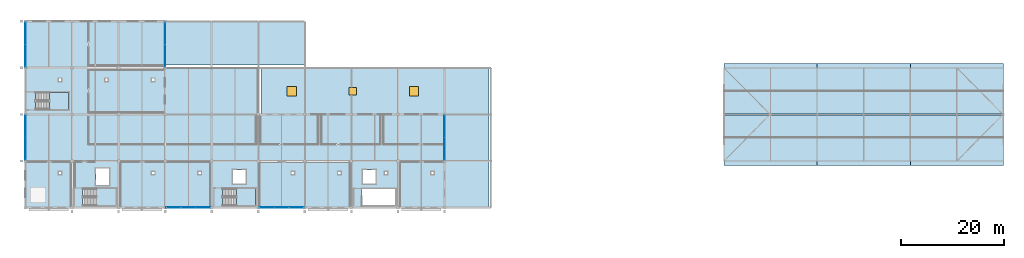
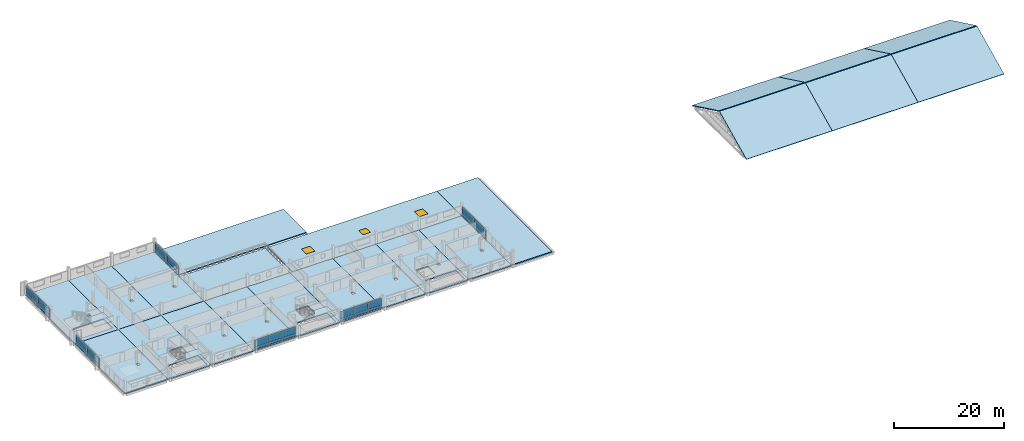
# One storey, part 15 of 25: 28 plates, 25 slabs, 3 windows, 3 openings, 9 elements without a shape of their own.
"""IFC4 building model written with IfcOpenShell, lengths in metres."""

import ifcopenshell
import ifcopenshell.guid

model = None  # the IFC model being written
_history = None  # IfcOwnerHistory: only IFC2X3 demands one
_inside = {}  # id of a spatial element -> (the spatial element, [elements in it])
_under = {}  # id of a project, library or spatial element -> (it, [spatial elements below it])
_declared = {}  # id of a project -> (the project, [libraries it declares])
_typed = {}  # id of a type object -> (the type object, [elements of that type])
_made_of = {}  # id of a material, layer set ... -> (it, [elements and type objects made of it])


def new_model(schema):
    """Start an empty IFC model of exactly this schema.

    Asked for "IFC4X3", IfcOpenShell would pick the latest addendum, in which some entities
    have other attributes; the version numbers below select the first issue.
    IFC2X3 requires an IfcOwnerHistory on every rooted entity: one is made here for all.
    """
    global model, _history
    if schema == "IFC4X3":
        model = ifcopenshell.file(schema_version=(4, 3, 0, 0))
    else:
        model = ifcopenshell.file(schema=schema)
    _inside.clear()
    _under.clear()
    _declared.clear()
    _typed.clear()
    _made_of.clear()
    _history = None
    if model.schema == "IFC2X3":
        org = make("IfcOrganization", Name="unknown")
        user = make(
            "IfcPersonAndOrganization",
            ThePerson=make("IfcPerson", FamilyName="unknown"),
            TheOrganization=org,
        )
        app = make(
            "IfcApplication",
            ApplicationDeveloper=org,
            Version="unknown",
            ApplicationFullName="unknown",
            ApplicationIdentifier="unknown",
        )
        _history = make(
            "IfcOwnerHistory",
            OwningUser=user,
            OwningApplication=app,
            ChangeAction="ADDED",
            CreationDate=0,
        )
    return model


def make(cls, **values):
    """One entity of the class cls with the attributes given. An attribute that is None is left unset."""
    return model.create_entity(
        cls, **{name: value for name, value in values.items() if value is not None}
    )


def rooted(cls, **values):
    """An entity with a GlobalId (a new one), such as an element, a storey or a relation."""
    return make(cls, GlobalId=ifcopenshell.guid.new(), OwnerHistory=_history, **values)


def si_unit(unit_type, name, prefix=None):
    """IfcSIUnit, for example si_unit("LENGTHUNIT", "METRE", prefix="MILLI")."""
    return make("IfcSIUnit", UnitType=unit_type, Prefix=prefix, Name=name)


def assignment(units):
    """IfcUnitAssignment: the units of a project."""
    return None if units is None else make("IfcUnitAssignment", Units=units)


def point(xyz):
    """IfcCartesianPoint."""
    return None if xyz is None else make("IfcCartesianPoint", Coordinates=xyz)


def direction(xyz):
    """IfcDirection."""
    return None if xyz is None else make("IfcDirection", DirectionRatios=xyz)


def frame(location, z_axis=None, x_axis=None):
    """IfcAxis2Placement3D, a coordinate frame: its origin and axes. An axis left out is left unset."""
    return make(
        "IfcAxis2Placement3D",
        Location=point(location),
        Axis=direction(z_axis),
        RefDirection=direction(x_axis),
    )


def frame_2d(location, x_axis=None):
    """IfcAxis2Placement2D, a coordinate frame in the plane: its origin and x axis."""
    return make(
        "IfcAxis2Placement2D", Location=point(location), RefDirection=direction(x_axis)
    )


def origin():
    """The frame at (0, 0, 0) with its axes left unset."""
    return frame((0.0, 0.0, 0.0))


def origin_2d():
    """The frame at (0, 0) in the plane with its x axis left unset."""
    return frame_2d((0.0, 0.0))


def place(relative_to, where):
    """IfcLocalPlacement: puts the frame where relative to a parent placement (None: the world)."""
    return make(
        "IfcLocalPlacement", PlacementRelTo=relative_to, RelativePlacement=where
    )


def context(
    kind, dimensions, precision=None, world=None, true_north=None, identifier=None
):
    """IfcGeometricRepresentationContext, for example the 3D "Model" context."""
    return make(
        "IfcGeometricRepresentationContext",
        ContextIdentifier=identifier,
        ContextType=kind,
        CoordinateSpaceDimension=dimensions,
        Precision=precision,
        WorldCoordinateSystem=world,
        TrueNorth=true_north,
    )


def subcontext(parent, identifier, kind, view, scale=None):
    """IfcGeometricRepresentationSubContext, for example "Body" below "Model"."""
    return make(
        "IfcGeometricRepresentationSubContext",
        ContextIdentifier=identifier,
        ContextType=kind,
        ParentContext=parent,
        TargetScale=scale,
        TargetView=view,
    )


def project(units=None, contexts=None):
    """IfcProject with its units and contexts."""
    return rooted(
        "IfcProject",
        Name="project",
        RepresentationContexts=contexts,
        UnitsInContext=assignment(units),
    )


def spatial(cls, under=None, at=None, **own):
    """A site, building, storey or space (cls), placed at a placement, below another one or the project."""
    s = rooted(cls, ObjectPlacement=at, **own)
    if under is not None:
        _under.setdefault(under.id(), (under, []))[1].append(s)
    return s


def polyline(points):
    """IfcPolyline through the points."""
    return make("IfcPolyline", Points=[point(p) for p in points])


def profile(cls, at=None, kind="AREA", **sizes):
    """A parametric profile (cls). Its sizes go by their IFC names, for example OverallWidth=200.0."""
    return make(cls, ProfileType=kind, Position=at, **sizes)


def rectangle(**sizes):
    """IfcRectangleProfileDef."""
    return profile("IfcRectangleProfileDef", **sizes)


def outline(outer, holes=None, kind="AREA"):
    """IfcArbitraryClosedProfileDef: a profile drawn as a closed curve; with holes, ...WithVoids."""
    if holes is None:
        return make("IfcArbitraryClosedProfileDef", ProfileType=kind, OuterCurve=outer)
    return make(
        "IfcArbitraryProfileDefWithVoids",
        ProfileType=kind,
        OuterCurve=outer,
        InnerCurves=holes,
    )


def extrude(swept, where, along, depth):
    """IfcExtrudedAreaSolid: the profile swept, set in the frame where, extruded along a direction by depth."""
    return make(
        "IfcExtrudedAreaSolid",
        SweptArea=swept,
        Position=where,
        ExtrudedDirection=direction(along),
        Depth=depth,
    )


def shape(context_of_items, identifier, shape_type, items):
    """IfcShapeRepresentation: the items that make up one representation, for example the "Body"."""
    return make(
        "IfcShapeRepresentation",
        ContextOfItems=context_of_items,
        RepresentationIdentifier=identifier,
        RepresentationType=shape_type,
        Items=items,
    )


def material(Name=None, Category=None):
    """IfcMaterial."""
    return make("IfcMaterial", Name=Name, Category=Category)


def layer(
    of_material, thickness, ventilated=None, Name=None, Category=None, Priority=None
):
    """IfcMaterialLayer: one layer of a wall or slab, of a material (None: an air gap)."""
    return make(
        "IfcMaterialLayer",
        Material=of_material,
        LayerThickness=thickness,
        IsVentilated=ventilated,
        Name=Name,
        Category=Category,
        Priority=Priority,
    )


def layer_set(layers, Name=None):
    """IfcMaterialLayerSet."""
    return make("IfcMaterialLayerSet", MaterialLayers=layers, LayerSetName=Name)


def made_of(thing, what):
    """Note that an element or type object is made of a material, layer set ...; save() writes the relation."""
    if what is not None:
        _made_of.setdefault(what.id(), (what, []))[1].append(thing)
    return thing


def type_object(cls, material=None, **own):
    """A type object (cls), such as IfcWallType, which elements share."""
    return made_of(rooted(cls, **own), material)


def element(
    cls,
    number,
    at=None,
    inside=None,
    cuts=None,
    type_object=None,
    material=None,
    context=None,
    identifier="Body",
    shape_type=None,
    held_by="IfcProductDefinitionShape",
    body=None,
    shapes=None,
    **own,
):
    """One element of the class cls, such as IfcWall. Its Tag is "e" and its number.

    at: its placement. inside: the storey or other place that contains it. cuts: it is an
    opening in that element (IfcRelVoidsElement). A single representation is given by context,
    identifier, shape_type and body (its items); several are given by shapes. held_by: the class
    of the entity that holds the representations. save() writes the other relations.
    """
    e = rooted(cls, Tag="e%d" % number, ObjectPlacement=at, **own)
    if body is not None:
        shapes = [shape(context, identifier, shape_type, body)]
    if shapes is not None:
        e.Representation = make(held_by, Representations=shapes)
    if inside is not None:
        _inside.setdefault(inside.id(), (inside, []))[1].append(e)
    if cuts is not None:
        rooted(
            "IfcRelVoidsElement", RelatingBuildingElement=cuts, RelatedOpeningElement=e
        )
    if type_object is not None:
        _typed.setdefault(type_object.id(), (type_object, []))[1].append(e)
    return made_of(e, material)


def fill(opening, filler):
    """IfcRelFillsElement: the door or window that sits in an opening."""
    return rooted(
        "IfcRelFillsElement",
        RelatingOpeningElement=opening,
        RelatedBuildingElement=filler,
    )


def aggregate(whole, parts):
    """IfcRelAggregates: a whole, such as a stair, and the parts it consists of."""
    return rooted("IfcRelAggregates", RelatingObject=whole, RelatedObjects=parts)


def save(model, path):
    """Write the relations noted so far, then the file.

    IfcRelAggregates (storeys below a building ...), IfcRelContainedInSpatialStructure (elements
    in a storey), IfcRelDefinesByType, IfcRelAssociatesMaterial and IfcRelDeclares: one each for
    every whole, place, type object, material and project.
    """
    for whole, parts in _under.values():
        aggregate(whole, parts)
    for where, things in _inside.values():
        rooted(
            "IfcRelContainedInSpatialStructure",
            RelatedElements=things,
            RelatingStructure=where,
        )
    for kind, things in _typed.values():
        rooted("IfcRelDefinesByType", RelatedObjects=things, RelatingType=kind)
    for what, things in _made_of.values():
        rooted("IfcRelAssociatesMaterial", RelatedObjects=things, RelatingMaterial=what)
    for by, libraries in _declared.values():
        rooted("IfcRelDeclares", RelatingContext=by, RelatedDefinitions=libraries)
    model.write(path)


model = new_model("IFC4")

# Units and contexts
model_context = context("Model", 3, precision=1e-05, world=origin(), true_north=direction((0.0, 1.0)))
body_context = subcontext(model_context, "Body", "Model", "MODEL_VIEW")
ifc_project = project(units=[si_unit("LENGTHUNIT", "METRE"), si_unit("AREAUNIT", "SQUARE_METRE"), si_unit("VOLUMEUNIT", "CUBIC_METRE"), si_unit("PLANEANGLEUNIT", "RADIAN"), si_unit("MASSUNIT", "GRAM", prefix="KILO")], contexts=[model_context])

# Site, building, storey
site_placement = place(None, origin())
site = spatial("IfcSite", under=ifc_project, at=site_placement, CompositionType="ELEMENT")
building_placement = place(site_placement, origin())
building = spatial("IfcBuilding", under=site, at=building_placement, Name="Tharagai Park Tramway Depot", CompositionType="ELEMENT")
storey_placement = place(building_placement, frame((0.0, 0.0, 12.0)))
storey = spatial("IfcBuildingStorey", under=building, at=storey_placement, Name="L03", CompositionType="ELEMENT", Elevation=12.0)

# Curtain wall, plates
ifc_material_1 = material(Name="Anodised aluminium", Category="aluminium")
curtain_wall_type_1 = type_object("IfcCurtainWallType", Name="CW-01", PredefinedType="NOTDEFINED", material=ifc_material_1)
curtain_wall_1_placement = place(storey_placement, origin())
curtain_wall_1 = element("IfcCurtainWall", 1, at=curtain_wall_1_placement, inside=storey, type_object=curtain_wall_type_1, Name="L03 V4 Gothic Mullioned Curtain Wall CW-01", PredefinedType="NOTDEFINED")
ifc_layer_1 = layer(ifc_material_1, 0.0400390625)
ifc_layer_set_1 = layer_set([ifc_layer_1], Name="Anodised aluminium")
plate_type_1 = type_object("IfcPlateType", Name="CP-01", PredefinedType="CURTAIN_PANEL", material=ifc_layer_set_1)
plate_1_placement = place(storey_placement, frame((28.659912109375, 0.0, 0.080078125), z_axis=(0.0, 0.0, 1.0), x_axis=(1.0, 0.0, 0.0)))
plate_1 = element("IfcPlate", 2, at=plate_1_placement, type_object=plate_type_1, Name="L03 V4 Gothic Mullioned Curtain Wall Spandrel Panel 1.1", PredefinedType="CURTAIN_PANEL", context=body_context, shape_type="SweptSolid", body=[
    extrude(rectangle(XDim=2.820068359375, YDim=0.0400390625, at=origin_2d()), origin(), (0.0, 0.0, 1.0), 0.550048828125),
])
plate_2_placement = place(storey_placement, frame((31.5, 0.0, 0.080078125), z_axis=(0.0, 0.0, 1.0), x_axis=(1.0, 0.0, 0.0)))
plate_2 = element("IfcPlate", 3, at=plate_2_placement, type_object=plate_type_1, Name="L03 V4 Gothic Mullioned Curtain Wall Spandrel Panel 2.1", PredefinedType="CURTAIN_PANEL", context=body_context, shape_type="SweptSolid", body=[
    extrude(rectangle(XDim=2.820068359375, YDim=0.0400390625, at=origin_2d()), origin(), (0.0, 0.0, 1.0), 0.550048828125),
])
plate_3_placement = place(storey_placement, frame((34.340087890625, 0.0, 0.080078125), z_axis=(0.0, 0.0, 1.0), x_axis=(1.0, 0.0, 0.0)))
plate_3 = element("IfcPlate", 4, at=plate_3_placement, type_object=plate_type_1, Name="L03 V4 Gothic Mullioned Curtain Wall Spandrel Panel 3.1", PredefinedType="CURTAIN_PANEL", context=body_context, shape_type="SweptSolid", body=[
    extrude(rectangle(XDim=2.820068359375, YDim=0.0400390625, at=origin_2d()), origin(), (0.0, 0.0, 1.0), 0.550048828125),
])

curtain_wall_2_placement = place(storey_placement, origin())
curtain_wall_2 = element("IfcCurtainWall", 5, at=curtain_wall_2_placement, inside=storey, type_object=curtain_wall_type_1, Name="L03 V4 Gothic Mullioned Curtain Wall CW-01", PredefinedType="NOTDEFINED")
plate_4_placement = place(storey_placement, frame((46.659912109375, 0.0, 0.080078125), z_axis=(0.0, 0.0, 1.0), x_axis=(1.0, 0.0, 0.0)))
plate_4 = element("IfcPlate", 6, at=plate_4_placement, type_object=plate_type_1, Name="L03 V4 Gothic Mullioned Curtain Wall Spandrel Panel 1.1", PredefinedType="CURTAIN_PANEL", context=body_context, shape_type="SweptSolid", body=[
    extrude(rectangle(XDim=2.820068359375, YDim=0.0400390625, at=origin_2d()), origin(), (0.0, 0.0, 1.0), 0.550048828125),
])
plate_5_placement = place(storey_placement, frame((49.5, 0.0, 0.080078125), z_axis=(0.0, 0.0, 1.0), x_axis=(1.0, 0.0, 0.0)))
plate_5 = element("IfcPlate", 7, at=plate_5_placement, type_object=plate_type_1, Name="L03 V4 Gothic Mullioned Curtain Wall Spandrel Panel 2.1", PredefinedType="CURTAIN_PANEL", context=body_context, shape_type="SweptSolid", body=[
    extrude(rectangle(XDim=2.820068359375, YDim=0.0400390625, at=origin_2d()), origin(), (0.0, 0.0, 1.0), 0.550048828125),
])
plate_6_placement = place(storey_placement, frame((52.340087890625, 0.0, 0.080078125), z_axis=(0.0, 0.0, 1.0), x_axis=(1.0, 0.0, 0.0)))
plate_6 = element("IfcPlate", 8, at=plate_6_placement, type_object=plate_type_1, Name="L03 V4 Gothic Mullioned Curtain Wall Spandrel Panel 3.1", PredefinedType="CURTAIN_PANEL", context=body_context, shape_type="SweptSolid", body=[
    extrude(rectangle(XDim=2.820068359375, YDim=0.0400390625, at=origin_2d()), origin(), (0.0, 0.0, 1.0), 0.550048828125),
])

curtain_wall_type_2 = type_object("IfcCurtainWallType", Name="CW-07", PredefinedType="NOTDEFINED", material=ifc_material_1)
curtain_wall_3_placement = place(storey_placement, origin())
curtain_wall_3 = element("IfcCurtainWall", 9, at=curtain_wall_3_placement, inside=storey, type_object=curtain_wall_type_2, Name="L03 V4 Side Mullioned Curtain Wall CW-07", PredefinedType="NOTDEFINED")
plate_7_placement = place(storey_placement, frame((0.0, 11.3701171875, 0.080078125), z_axis=(0.0, 0.0, 1.0), x_axis=(0.0, 1.0, 0.0)))
plate_7 = element("IfcPlate", 10, at=plate_7_placement, type_object=plate_type_1, Name="L03 V4 Side Mullioned Curtain Wall Spandrel Panel 1.1", PredefinedType="CURTAIN_PANEL", context=body_context, shape_type="SweptSolid", body=[
    extrude(rectangle(XDim=4.239990234375, YDim=0.0400390625, at=origin_2d()), origin(), (0.0, 0.0, 1.0), 0.550048828125),
])
plate_8_placement = place(storey_placement, frame((0.0, 15.6298828125, 0.080078125), z_axis=(0.0, 0.0, 1.0), x_axis=(0.0, 1.0, 0.0)))
plate_8 = element("IfcPlate", 11, at=plate_8_placement, type_object=plate_type_1, Name="L03 V4 Side Mullioned Curtain Wall Spandrel Panel 2.1", PredefinedType="CURTAIN_PANEL", context=body_context, shape_type="SweptSolid", body=[
    extrude(rectangle(XDim=4.239990234375, YDim=0.0400390625, at=origin_2d()), origin(), (0.0, 0.0, 1.0), 0.550048828125),
])

curtain_wall_4_placement = place(storey_placement, origin())
curtain_wall_4 = element("IfcCurtainWall", 12, at=curtain_wall_4_placement, inside=storey, type_object=curtain_wall_type_2, Name="L03 V4 Side Mullioned Curtain Wall CW-07", PredefinedType="NOTDEFINED")
plate_9_placement = place(storey_placement, frame((0.0, 29.3701171875, 0.080078125), z_axis=(0.0, 0.0, 1.0), x_axis=(0.0, 1.0, 0.0)))
plate_9 = element("IfcPlate", 13, at=plate_9_placement, type_object=plate_type_1, Name="L03 V4 Side Mullioned Curtain Wall Spandrel Panel 1.1", PredefinedType="CURTAIN_PANEL", context=body_context, shape_type="SweptSolid", body=[
    extrude(rectangle(XDim=4.239990234375, YDim=0.0400390625, at=origin_2d()), origin(), (0.0, 0.0, 1.0), 0.550048828125),
])
plate_10_placement = place(storey_placement, frame((0.0, 33.6298828125, 0.080078125), z_axis=(0.0, 0.0, 1.0), x_axis=(0.0, 1.0, 0.0)))
plate_10 = element("IfcPlate", 14, at=plate_10_placement, type_object=plate_type_1, Name="L03 V4 Side Mullioned Curtain Wall Spandrel Panel 2.1", PredefinedType="CURTAIN_PANEL", context=body_context, shape_type="SweptSolid", body=[
    extrude(rectangle(XDim=4.239990234375, YDim=0.0400390625, at=origin_2d()), origin(), (0.0, 0.0, 1.0), 0.550048828125),
])

curtain_wall_5_placement = place(storey_placement, origin())
curtain_wall_5 = element("IfcCurtainWall", 15, at=curtain_wall_5_placement, inside=storey, type_object=curtain_wall_type_2, Name="L03 V4 Side Mullioned Curtain Wall CW-07", PredefinedType="NOTDEFINED")
plate_11_placement = place(storey_placement, frame((27.0, 29.3701171875, 0.080078125), z_axis=(0.0, 0.0, 1.0), x_axis=(0.0, 1.0, 0.0)))
plate_11 = element("IfcPlate", 16, at=plate_11_placement, type_object=plate_type_1, Name="L03 V4 Side Mullioned Curtain Wall Spandrel Panel 1.1", PredefinedType="CURTAIN_PANEL", context=body_context, shape_type="SweptSolid", body=[
    extrude(rectangle(XDim=4.239990234375, YDim=0.0400390625, at=origin_2d()), origin(), (0.0, 0.0, 1.0), 0.550048828125),
])
plate_12_placement = place(storey_placement, frame((27.0, 33.6298828125, 0.080078125), z_axis=(0.0, 0.0, 1.0), x_axis=(0.0, 1.0, 0.0)))
plate_12 = element("IfcPlate", 17, at=plate_12_placement, type_object=plate_type_1, Name="L03 V4 Side Mullioned Curtain Wall Spandrel Panel 2.1", PredefinedType="CURTAIN_PANEL", context=body_context, shape_type="SweptSolid", body=[
    extrude(rectangle(XDim=4.239990234375, YDim=0.0400390625, at=origin_2d()), origin(), (0.0, 0.0, 1.0), 0.550048828125),
])

curtain_wall_6_placement = place(storey_placement, origin())
curtain_wall_6 = element("IfcCurtainWall", 18, at=curtain_wall_6_placement, inside=storey, type_object=curtain_wall_type_2, Name="L03 V4 Side Mullioned Curtain Wall CW-07", PredefinedType="NOTDEFINED")
plate_13_placement = place(storey_placement, frame((81.0, 11.3701171875, 0.080078125), z_axis=(0.0, 0.0, 1.0), x_axis=(0.0, 1.0, 0.0)))
plate_13 = element("IfcPlate", 19, at=plate_13_placement, type_object=plate_type_1, Name="L03 V4 Side Mullioned Curtain Wall Spandrel Panel 1.1", PredefinedType="CURTAIN_PANEL", context=body_context, shape_type="SweptSolid", body=[
    extrude(rectangle(XDim=4.239990234375, YDim=0.0400390625, at=origin_2d()), origin(), (0.0, 0.0, 1.0), 0.550048828125),
])
plate_14_placement = place(storey_placement, frame((81.0, 15.6298828125, 0.080078125), z_axis=(0.0, 0.0, 1.0), x_axis=(0.0, 1.0, 0.0)))
plate_14 = element("IfcPlate", 20, at=plate_14_placement, type_object=plate_type_1, Name="L03 V4 Side Mullioned Curtain Wall Spandrel Panel 2.1", PredefinedType="CURTAIN_PANEL", context=body_context, shape_type="SweptSolid", body=[
    extrude(rectangle(XDim=4.239990234375, YDim=0.0400390625, at=origin_2d()), origin(), (0.0, 0.0, 1.0), 0.550048828125),
])

# Plate
ifc_material_2 = material(Name="Laminated solar-control glass", Category="glass")
ifc_layer_2 = layer(ifc_material_2, 0.028076171875)
ifc_layer_set_2 = layer_set([ifc_layer_2], Name="Laminated solar-control glass")
plate_type_2 = type_object("IfcPlateType", Name="CP-02", PredefinedType="CURTAIN_PANEL", material=ifc_layer_set_2)
plate_15_placement = place(storey_placement, frame((28.659912109375, 0.0, 0.669921875), z_axis=(0.0, 0.0, 1.0), x_axis=(1.0, 0.0, 0.0)))
plate_15 = element("IfcPlate", 21, at=plate_15_placement, type_object=plate_type_2, Name="L03 V4 Gothic Mullioned Curtain Wall Glazed Panel 1.2", PredefinedType="CURTAIN_PANEL", context=body_context, shape_type="SweptSolid", body=[
    extrude(rectangle(XDim=2.820068359375, YDim=0.028076171875, at=origin_2d()), origin(), (0.0, 0.0, 1.0), 1.5),
])

plate_16_placement = place(storey_placement, frame((31.5, 0.0, 0.669921875), z_axis=(0.0, 0.0, 1.0), x_axis=(1.0, 0.0, 0.0)))
plate_16 = element("IfcPlate", 22, at=plate_16_placement, type_object=plate_type_2, Name="L03 V4 Gothic Mullioned Curtain Wall Glazed Panel 2.2", PredefinedType="CURTAIN_PANEL", context=body_context, shape_type="SweptSolid", body=[
    extrude(rectangle(XDim=2.820068359375, YDim=0.028076171875, at=origin_2d()), origin(), (0.0, 0.0, 1.0), 1.5),
])

plate_17_placement = place(storey_placement, frame((34.340087890625, 0.0, 0.669921875), z_axis=(0.0, 0.0, 1.0), x_axis=(1.0, 0.0, 0.0)))
plate_17 = element("IfcPlate", 23, at=plate_17_placement, type_object=plate_type_2, Name="L03 V4 Gothic Mullioned Curtain Wall Glazed Panel 3.2", PredefinedType="CURTAIN_PANEL", context=body_context, shape_type="SweptSolid", body=[
    extrude(rectangle(XDim=2.820068359375, YDim=0.028076171875, at=origin_2d()), origin(), (0.0, 0.0, 1.0), 1.5),
])

aggregate(curtain_wall_1, [plate_1, plate_15, plate_2, plate_16, plate_3, plate_17])

plate_18_placement = place(storey_placement, frame((46.659912109375, 0.0, 0.669921875), z_axis=(0.0, 0.0, 1.0), x_axis=(1.0, 0.0, 0.0)))
plate_18 = element("IfcPlate", 24, at=plate_18_placement, type_object=plate_type_2, Name="L03 V4 Gothic Mullioned Curtain Wall Glazed Panel 1.2", PredefinedType="CURTAIN_PANEL", context=body_context, shape_type="SweptSolid", body=[
    extrude(rectangle(XDim=2.820068359375, YDim=0.028076171875, at=origin_2d()), origin(), (0.0, 0.0, 1.0), 1.5),
])

plate_19_placement = place(storey_placement, frame((49.5, 0.0, 0.669921875), z_axis=(0.0, 0.0, 1.0), x_axis=(1.0, 0.0, 0.0)))
plate_19 = element("IfcPlate", 25, at=plate_19_placement, type_object=plate_type_2, Name="L03 V4 Gothic Mullioned Curtain Wall Glazed Panel 2.2", PredefinedType="CURTAIN_PANEL", context=body_context, shape_type="SweptSolid", body=[
    extrude(rectangle(XDim=2.820068359375, YDim=0.028076171875, at=origin_2d()), origin(), (0.0, 0.0, 1.0), 1.5),
])

plate_20_placement = place(storey_placement, frame((52.340087890625, 0.0, 0.669921875), z_axis=(0.0, 0.0, 1.0), x_axis=(1.0, 0.0, 0.0)))
plate_20 = element("IfcPlate", 26, at=plate_20_placement, type_object=plate_type_2, Name="L03 V4 Gothic Mullioned Curtain Wall Glazed Panel 3.2", PredefinedType="CURTAIN_PANEL", context=body_context, shape_type="SweptSolid", body=[
    extrude(rectangle(XDim=2.820068359375, YDim=0.028076171875, at=origin_2d()), origin(), (0.0, 0.0, 1.0), 1.5),
])

aggregate(curtain_wall_2, [plate_4, plate_18, plate_5, plate_19, plate_6, plate_20])

plate_21_placement = place(storey_placement, frame((0.0, 11.3701171875, 0.669921875), z_axis=(0.0, 0.0, 1.0), x_axis=(0.0, 1.0, 0.0)))
plate_21 = element("IfcPlate", 27, at=plate_21_placement, type_object=plate_type_2, Name="L03 V4 Side Mullioned Curtain Wall Glazed Panel 1.2", PredefinedType="CURTAIN_PANEL", context=body_context, shape_type="SweptSolid", body=[
    extrude(rectangle(XDim=4.239990234375, YDim=0.028076171875, at=origin_2d()), origin(), (0.0, 0.0, 1.0), 1.47998046875),
])

plate_22_placement = place(storey_placement, frame((0.0, 15.6298828125, 0.669921875), z_axis=(0.0, 0.0, 1.0), x_axis=(0.0, 1.0, 0.0)))
plate_22 = element("IfcPlate", 28, at=plate_22_placement, type_object=plate_type_2, Name="L03 V4 Side Mullioned Curtain Wall Glazed Panel 2.2", PredefinedType="CURTAIN_PANEL", context=body_context, shape_type="SweptSolid", body=[
    extrude(rectangle(XDim=4.239990234375, YDim=0.028076171875, at=origin_2d()), origin(), (0.0, 0.0, 1.0), 1.47998046875),
])

aggregate(curtain_wall_3, [plate_7, plate_21, plate_8, plate_22])

plate_23_placement = place(storey_placement, frame((0.0, 29.3701171875, 0.669921875), z_axis=(0.0, 0.0, 1.0), x_axis=(0.0, 1.0, 0.0)))
plate_23 = element("IfcPlate", 29, at=plate_23_placement, type_object=plate_type_2, Name="L03 V4 Side Mullioned Curtain Wall Glazed Panel 1.2", PredefinedType="CURTAIN_PANEL", context=body_context, shape_type="SweptSolid", body=[
    extrude(rectangle(XDim=4.239990234375, YDim=0.028076171875, at=origin_2d()), origin(), (0.0, 0.0, 1.0), 1.47998046875),
])

plate_24_placement = place(storey_placement, frame((0.0, 33.6298828125, 0.669921875), z_axis=(0.0, 0.0, 1.0), x_axis=(0.0, 1.0, 0.0)))
plate_24 = element("IfcPlate", 30, at=plate_24_placement, type_object=plate_type_2, Name="L03 V4 Side Mullioned Curtain Wall Glazed Panel 2.2", PredefinedType="CURTAIN_PANEL", context=body_context, shape_type="SweptSolid", body=[
    extrude(rectangle(XDim=4.239990234375, YDim=0.028076171875, at=origin_2d()), origin(), (0.0, 0.0, 1.0), 1.47998046875),
])

aggregate(curtain_wall_4, [plate_9, plate_23, plate_10, plate_24])

plate_25_placement = place(storey_placement, frame((27.0, 29.3701171875, 0.669921875), z_axis=(0.0, 0.0, 1.0), x_axis=(0.0, 1.0, 0.0)))
plate_25 = element("IfcPlate", 31, at=plate_25_placement, type_object=plate_type_2, Name="L03 V4 Side Mullioned Curtain Wall Glazed Panel 1.2", PredefinedType="CURTAIN_PANEL", context=body_context, shape_type="SweptSolid", body=[
    extrude(rectangle(XDim=4.239990234375, YDim=0.028076171875, at=origin_2d()), origin(), (0.0, 0.0, 1.0), 1.5400390625),
])

plate_26_placement = place(storey_placement, frame((27.0, 33.6298828125, 0.669921875), z_axis=(0.0, 0.0, 1.0), x_axis=(0.0, 1.0, 0.0)))
plate_26 = element("IfcPlate", 32, at=plate_26_placement, type_object=plate_type_2, Name="L03 V4 Side Mullioned Curtain Wall Glazed Panel 2.2", PredefinedType="CURTAIN_PANEL", context=body_context, shape_type="SweptSolid", body=[
    extrude(rectangle(XDim=4.239990234375, YDim=0.028076171875, at=origin_2d()), origin(), (0.0, 0.0, 1.0), 1.5400390625),
])

aggregate(curtain_wall_5, [plate_11, plate_25, plate_12, plate_26])

plate_27_placement = place(storey_placement, frame((81.0, 11.3701171875, 0.669921875), z_axis=(0.0, 0.0, 1.0), x_axis=(0.0, 1.0, 0.0)))
plate_27 = element("IfcPlate", 33, at=plate_27_placement, type_object=plate_type_2, Name="L03 V4 Side Mullioned Curtain Wall Glazed Panel 1.2", PredefinedType="CURTAIN_PANEL", context=body_context, shape_type="SweptSolid", body=[
    extrude(rectangle(XDim=4.239990234375, YDim=0.028076171875, at=origin_2d()), origin(), (0.0, 0.0, 1.0), 1.5400390625),
])

plate_28_placement = place(storey_placement, frame((81.0, 15.6298828125, 0.669921875), z_axis=(0.0, 0.0, 1.0), x_axis=(0.0, 1.0, 0.0)))
plate_28 = element("IfcPlate", 34, at=plate_28_placement, type_object=plate_type_2, Name="L03 V4 Side Mullioned Curtain Wall Glazed Panel 2.2", PredefinedType="CURTAIN_PANEL", context=body_context, shape_type="SweptSolid", body=[
    extrude(rectangle(XDim=4.239990234375, YDim=0.028076171875, at=origin_2d()), origin(), (0.0, 0.0, 1.0), 1.5400390625),
])

aggregate(curtain_wall_6, [plate_13, plate_27, plate_14, plate_28])

# Stair, slab
ifc_material_3 = material(Name="Concrete M35", Category="concrete")
stair_type = type_object("IfcStairType", Name="STT-02", PredefinedType="HALF_TURN_STAIR", material=ifc_material_3)
stair_1_placement = place(storey_placement, origin())
stair_1 = element("IfcStair", 35, at=stair_1_placement, inside=storey, type_object=stair_type, Name="L03 Protected Exit Stair ST-01", PredefinedType="HALF_TURN_STAIR")
ifc_layer_3 = layer(ifc_material_3, 0.199951171875)
ifc_layer_set_3 = layer_set([ifc_layer_3], Name="Concrete M35")
slab_type_1 = type_object("IfcSlabType", Name="LN-01", PredefinedType="LANDING", material=ifc_layer_set_3)
slab_1_placement = place(storey_placement, frame((0.0, 0.0, 1.300048828125)))
slab_1 = element("IfcSlab", 36, at=slab_1_placement, type_object=slab_type_1, Name="ST-01 landing 1", PredefinedType="LANDING", context=body_context, shape_type="SweptSolid", body=[
    extrude(outline(polyline([(13.77001953125, 0.39990234375), (17.47998046875, 0.39990234375), (17.47998046875, 3.64990234375), (13.77001953125, 3.64990234375), (13.77001953125, 0.39990234375)])), origin(), (0.0, 0.0, 1.0), 0.199951171875),
])
aggregate(stair_1, [slab_1])

stair_2_placement = place(storey_placement, origin())
stair_2 = element("IfcStair", 37, at=stair_2_placement, inside=storey, type_object=stair_type, Name="L03 Protected Exit Stair ST-02", PredefinedType="HALF_TURN_STAIR")
slab_2_placement = place(storey_placement, frame((0.0, 0.0, 1.300048828125)))
slab_2 = element("IfcSlab", 38, at=slab_2_placement, type_object=slab_type_1, Name="ST-02 landing 1", PredefinedType="LANDING", context=body_context, shape_type="SweptSolid", body=[
    extrude(outline(polyline([(40.77001953125, 0.39990234375), (44.47998046875, 0.39990234375), (44.47998046875, 3.64990234375), (40.77001953125, 3.64990234375), (40.77001953125, 0.39990234375)])), origin(), (0.0, 0.0, 1.0), 0.199951171875),
])
aggregate(stair_2, [slab_2])

stair_3_placement = place(storey_placement, origin())
stair_3 = element("IfcStair", 39, at=stair_3_placement, inside=storey, type_object=stair_type, Name="L03 Protected Exit Stair ST-03", PredefinedType="HALF_TURN_STAIR")
slab_3_placement = place(storey_placement, frame((0.0, 0.0, 1.300048828125)))
slab_3 = element("IfcSlab", 40, at=slab_3_placement, type_object=slab_type_1, Name="ST-03 landing 1", PredefinedType="LANDING", context=body_context, shape_type="SweptSolid", body=[
    extrude(outline(polyline([(4.64990234375, 19.0), (8.360107421875, 19.0), (8.360107421875, 22.25), (4.64990234375, 22.25), (4.64990234375, 19.0)])), origin(), (0.0, 0.0, 1.0), 0.199951171875),
])
aggregate(stair_3, [slab_3])

# Slabs
ifc_layer_4 = layer(ifc_material_3, 0.169921875)
ifc_layer_set_4 = layer_set([ifc_layer_4], Name="Concrete M35")
slab_type_2 = type_object("IfcSlabType", Name="RS-02", PredefinedType="ROOF", material=ifc_layer_set_4)
for number, where, z_axis, x_axis, name in (
    (41, (135.0, 8.14990234375, -0.405517578125), (0.0, -0.433739040085, 0.901038536971), (1.0, 0.0, 0.0), "V5 South Pitched Roof Slab 1"),
    (42, (153.0, 27.85009765625, -0.405517578125), (0.0, 0.433739040085, 0.901038536971), (-1.0, 0.0, 0.0), "V5 North Pitched Roof Slab 1"),
    (43, (153.0, 8.14990234375, -0.405517578125), (0.0, -0.433739040085, 0.901038536971), (1.0, 0.0, 0.0), "V5 South Pitched Roof Slab 2"),
    (44, (171.0, 27.85009765625, -0.405517578125), (0.0, 0.433739040085, 0.901038536971), (-1.0, 0.0, 0.0), "V5 North Pitched Roof Slab 2"),
    (45, (171.0, 8.14990234375, -0.405517578125), (0.0, -0.433739040085, 0.901038536971), (1.0, 0.0, 0.0), "V5 South Pitched Roof Slab 3"),
    (46, (189.0, 27.85009765625, -0.405517578125), (0.0, 0.433739040085, 0.901038536971), (-1.0, 0.0, 0.0), "V5 North Pitched Roof Slab 3"),
):
    element("IfcSlab", number, at=place(storey_placement, frame(where, z_axis=z_axis, x_axis=x_axis)), inside=storey, type_object=slab_type_2, Name=name, PredefinedType="ROOF", context=body_context, shape_type="SweptSolid", body=[
        extrude(outline(polyline([(0.0, 0.0), (18.0, 0.0), (18.0, 10.831955976530747), (0.0, 10.831955976530747), (0.0, 0.0)])), origin(), (0.0, 0.0, -1.0), 0.169921875),
    ])
ifc_layer_5 = layer(ifc_material_3, 0.239990234375)
ifc_layer_set_5 = layer_set([ifc_layer_5], Name="Concrete M35")
slab_type_3 = type_object("IfcSlabType", Name="RS-03", PredefinedType="ROOF", material=ifc_layer_set_5)
slab_4_placement = place(storey_placement, frame((0.0, 0.0, -0.239990234375)))
element("IfcSlab", 47, at=slab_4_placement, inside=storey, type_object=slab_type_3, Name="L03 V4 Flat Roof Slab", PredefinedType="ROOF", context=body_context, shape_type="SweptSolid", body=[
    extrude(outline(polyline([(81.0, 0.0), (89.550048828125, 0.0), (89.550048828125, 27.0), (81.0, 27.0), (81.0, 0.0)])), origin(), (0.0, 0.0, 1.0), 0.239990234375),
])

# Slab, openings, windows
slab_5_placement = place(storey_placement, frame((0.0, 0.0, -0.239990234375)))
slab_5 = element("IfcSlab", 48, at=slab_5_placement, inside=storey, type_object=slab_type_3, Name="L03 V4 Flat Roof Slab", PredefinedType="ROOF", context=body_context, shape_type="SweptSolid", body=[
    extrude(outline(polyline([(45.550048828125, 18.0), (81.0, 18.0), (81.0, 27.0), (45.550048828125, 27.0), (45.550048828125, 18.0)])), origin(), (0.0, 0.0, 1.0), 0.239990234375),
])
opening_1_placement = place(slab_5_placement, frame((51.458251953125, 22.5, -0.010009765625)))
opening_1 = element("IfcOpeningElement", 49, at=opening_1_placement, cuts=slab_5, Name="Opening SK-02", PredefinedType="OPENING", context=body_context, shape_type="SweptSolid", body=[
    extrude(rectangle(XDim=1.800048828125, YDim=1.800048828125, at=origin_2d()), origin(), (0.0, 0.0, 1.0), 0.260009765625),
])
opening_2_placement = place(slab_5_placement, frame((63.27490234375, 22.5, -0.010009765625)))
opening_2 = element("IfcOpeningElement", 50, at=opening_2_placement, cuts=slab_5, Name="Opening SK-04", PredefinedType="OPENING", context=body_context, shape_type="SweptSolid", body=[
    extrude(rectangle(XDim=1.5, YDim=1.5, at=origin_2d()), origin(), (0.0, 0.0, 1.0), 0.260009765625),
])
opening_3_placement = place(slab_5_placement, frame((75.091552734375, 22.5, -0.010009765625)))
opening_3 = element("IfcOpeningElement", 51, at=opening_3_placement, cuts=slab_5, Name="Opening SK-02", PredefinedType="OPENING", context=body_context, shape_type="SweptSolid", body=[
    extrude(rectangle(XDim=1.800048828125, YDim=1.800048828125, at=origin_2d()), origin(), (0.0, 0.0, 1.0), 0.260009765625),
])
window_type_1 = type_object("IfcWindowType", Name="SK-02", PartitioningType="SINGLE_PANEL", PredefinedType="LIGHTDOME", material=ifc_material_2)
window_1_placement = place(opening_1_placement, frame((0.0, 0.0, 0.199951171875)))
window_1 = element("IfcWindow", 52, at=window_1_placement, inside=storey, type_object=window_type_1, Name="Roof Lightdome SK-02 #1", OverallHeight=1.800048828125, OverallWidth=1.800048828125, PartitioningType="SINGLE_PANEL", PredefinedType="LIGHTDOME", context=body_context, shape_type="SweptSolid", body=[
    extrude(rectangle(XDim=1.800048828125, YDim=1.800048828125, at=origin_2d()), origin(), (0.0, 0.0, 1.0), 0.050048828125),
])
fill(opening_1, window_1)
window_2_placement = place(opening_3_placement, frame((0.0, 0.0, 0.199951171875)))
window_2 = element("IfcWindow", 53, at=window_2_placement, inside=storey, type_object=window_type_1, Name="Roof Lightdome SK-02 #3", OverallHeight=1.800048828125, OverallWidth=1.800048828125, PartitioningType="SINGLE_PANEL", PredefinedType="LIGHTDOME", context=body_context, shape_type="SweptSolid", body=[
    extrude(rectangle(XDim=1.800048828125, YDim=1.800048828125, at=origin_2d()), origin(), (0.0, 0.0, 1.0), 0.050048828125),
])
fill(opening_3, window_2)
window_type_2 = type_object("IfcWindowType", Name="SK-04", PartitioningType="SINGLE_PANEL", PredefinedType="LIGHTDOME", material=ifc_material_2)
window_3_placement = place(opening_2_placement, frame((0.0, 0.0, 0.199951171875)))
window_3 = element("IfcWindow", 54, at=window_3_placement, inside=storey, type_object=window_type_2, Name="Roof Lightdome SK-04 #2", OverallHeight=1.5, OverallWidth=1.5, PartitioningType="SINGLE_PANEL", PredefinedType="LIGHTDOME", context=body_context, shape_type="SweptSolid", body=[
    extrude(rectangle(XDim=1.5, YDim=1.5, at=origin_2d()), origin(), (0.0, 0.0, 1.0), 0.050048828125),
])
fill(opening_2, window_3)

# Slabs
slab_6_placement = place(storey_placement, frame((0.0, 0.0, -0.239990234375)))
element("IfcSlab", 55, at=slab_6_placement, inside=storey, type_object=slab_type_3, Name="L03 V4 Flat Roof Slab", PredefinedType="ROOF", context=body_context, shape_type="SweptSolid", body=[
    extrude(outline(polyline([(27.0, 27.550048828125), (54.0, 27.550048828125), (54.0, 36.0), (27.0, 36.0), (27.0, 27.550048828125)])), origin(), (0.0, 0.0, 1.0), 0.239990234375),
])
ifc_layer_6 = layer(ifc_material_3, 0.25)
ifc_layer_set_6 = layer_set([ifc_layer_6], Name="Concrete M35")
slab_type_4 = type_object("IfcSlabType", Name="SB-03", PredefinedType="FLOOR", material=ifc_layer_set_6)
slab_7_placement = place(storey_placement, frame((0.0, 0.0, -0.25)))
element("IfcSlab", 56, at=slab_7_placement, inside=storey, type_object=slab_type_4, Name="L03 V4 Suspended Floor Slab Bay 1", PredefinedType="FLOOR", context=body_context, shape_type="SweptSolid", body=[
    extrude(outline(polyline([(0.0, 0.0), (9.0, 0.0), (9.0, 18.0), (0.0, 18.0), (0.0, 0.0)]), holes=[polyline([(6.39990234375, 6.39990234375), (6.949951171875, 6.39990234375), (6.949951171875, 6.949951171875), (6.39990234375, 6.949951171875), (6.39990234375, 6.39990234375)])]), origin(), (0.0, 0.0, 1.0), 0.25),
])
slab_8_placement = place(storey_placement, frame((0.0, 0.0, -0.25)))
element("IfcSlab", 57, at=slab_8_placement, inside=storey, type_object=slab_type_4, Name="L03 V4 Suspended Floor Slab Bay 2", PredefinedType="FLOOR", context=body_context, shape_type="SweptSolid", body=[
    extrude(outline(polyline([(9.0, 0.0), (18.0, 0.0), (18.0, 18.0), (9.0, 18.0), (9.0, 0.0)]), holes=[polyline([(11.070068359375, 0.39990234375), (17.47998046875, 0.39990234375), (17.47998046875, 3.64990234375), (11.070068359375, 3.64990234375), (11.070068359375, 0.39990234375)]), polyline([(13.60009765625, 4.300048828125), (16.199951171875, 4.300048828125), (16.199951171875, 7.60009765625), (13.60009765625, 7.60009765625), (13.60009765625, 4.300048828125)])]), origin(), (0.0, 0.0, 1.0), 0.25),
])
slab_9_placement = place(storey_placement, frame((0.0, 0.0, -0.25)))
element("IfcSlab", 58, at=slab_9_placement, inside=storey, type_object=slab_type_4, Name="L03 V4 Suspended Floor Slab Bay 3", PredefinedType="FLOOR", context=body_context, shape_type="SweptSolid", body=[
    extrude(outline(polyline([(18.0, 0.0), (27.0, 0.0), (27.0, 18.0), (18.0, 18.0), (18.0, 0.0)]), holes=[polyline([(24.39990234375, 6.39990234375), (24.949951171875, 6.39990234375), (24.949951171875, 6.949951171875), (24.39990234375, 6.949951171875), (24.39990234375, 6.39990234375)])]), origin(), (0.0, 0.0, 1.0), 0.25),
])
slab_10_placement = place(storey_placement, frame((0.0, 0.0, -0.25)))
element("IfcSlab", 59, at=slab_10_placement, inside=storey, type_object=slab_type_4, Name="L03 V4 Suspended Floor Slab Bay 4", PredefinedType="FLOOR", context=body_context, shape_type="SweptSolid", body=[
    extrude(outline(polyline([(27.0, 0.0), (36.0, 0.0), (36.0, 18.0), (27.0, 18.0), (27.0, 0.0)]), holes=[polyline([(33.39990234375, 6.39990234375), (33.949951171875, 6.39990234375), (33.949951171875, 6.949951171875), (33.39990234375, 6.949951171875), (33.39990234375, 6.39990234375)])]), origin(), (0.0, 0.0, 1.0), 0.25),
])
slab_11_placement = place(storey_placement, frame((0.0, 0.0, -0.25)))
element("IfcSlab", 60, at=slab_11_placement, inside=storey, type_object=slab_type_4, Name="L03 V4 Suspended Floor Slab Bay 5", PredefinedType="FLOOR", context=body_context, shape_type="SweptSolid", body=[
    extrude(outline(polyline([(36.0, 0.0), (45.0, 0.0), (45.0, 18.0), (36.0, 18.0), (36.0, 0.0)]), holes=[polyline([(38.070068359375, 0.39990234375), (44.47998046875, 0.39990234375), (44.47998046875, 3.64990234375), (38.070068359375, 3.64990234375), (38.070068359375, 0.39990234375)]), polyline([(40.10009765625, 4.60009765625), (42.60009765625, 4.60009765625), (42.60009765625, 7.300048828125), (40.10009765625, 7.300048828125), (40.10009765625, 4.60009765625)])]), origin(), (0.0, 0.0, 1.0), 0.25),
])
slab_12_placement = place(storey_placement, frame((0.0, 0.0, -0.25)))
element("IfcSlab", 61, at=slab_12_placement, inside=storey, type_object=slab_type_4, Name="L03 V4 Suspended Floor Slab Bay 6", PredefinedType="FLOOR", context=body_context, shape_type="SweptSolid", body=[
    extrude(outline(polyline([(45.0, 0.0), (54.0, 0.0), (54.0, 18.0), (45.0, 18.0), (45.0, 0.0)]), holes=[polyline([(51.39990234375, 6.39990234375), (51.949951171875, 6.39990234375), (51.949951171875, 6.949951171875), (51.39990234375, 6.949951171875), (51.39990234375, 6.39990234375)])]), origin(), (0.0, 0.0, 1.0), 0.25),
])
slab_13_placement = place(storey_placement, frame((0.0, 0.0, -0.25)))
element("IfcSlab", 62, at=slab_13_placement, inside=storey, type_object=slab_type_4, Name="L03 V4 Suspended Floor Slab Bay 7", PredefinedType="FLOOR", context=body_context, shape_type="SweptSolid", body=[
    extrude(outline(polyline([(54.0, 0.0), (63.0, 0.0), (63.0, 18.0), (54.0, 18.0), (54.0, 0.0)]), holes=[polyline([(60.39990234375, 6.39990234375), (60.949951171875, 6.39990234375), (60.949951171875, 6.949951171875), (60.39990234375, 6.949951171875), (60.39990234375, 6.39990234375)])]), origin(), (0.0, 0.0, 1.0), 0.25),
])
slab_14_placement = place(storey_placement, frame((0.0, 0.0, -0.25)))
element("IfcSlab", 63, at=slab_14_placement, inside=storey, type_object=slab_type_4, Name="L03 V4 Suspended Floor Slab Bay 8", PredefinedType="FLOOR", context=body_context, shape_type="SweptSolid", body=[
    extrude(outline(polyline([(63.0, 0.0), (72.0, 0.0), (72.0, 18.0), (63.0, 18.0), (63.0, 0.0)]), holes=[polyline([(65.0400390625, 0.39990234375), (71.47998046875, 0.39990234375), (71.47998046875, 3.590087890625), (65.0400390625, 3.590087890625), (65.0400390625, 0.39990234375)]), polyline([(65.199951171875, 4.60009765625), (67.699951171875, 4.60009765625), (67.699951171875, 7.300048828125), (65.199951171875, 7.300048828125), (65.199951171875, 4.60009765625)]), polyline([(69.39990234375, 6.39990234375), (69.949951171875, 6.39990234375), (69.949951171875, 6.949951171875), (69.39990234375, 6.949951171875), (69.39990234375, 6.39990234375)])]), origin(), (0.0, 0.0, 1.0), 0.25),
])
slab_15_placement = place(storey_placement, frame((0.0, 0.0, -0.25)))
element("IfcSlab", 64, at=slab_15_placement, inside=storey, type_object=slab_type_4, Name="L03 V4 Suspended Floor Slab Bay 9", PredefinedType="FLOOR", context=body_context, shape_type="SweptSolid", body=[
    extrude(outline(polyline([(72.0, 0.0), (81.0, 0.0), (81.0, 18.0), (72.0, 18.0), (72.0, 0.0)]), holes=[polyline([(78.39990234375, 6.39990234375), (78.949951171875, 6.39990234375), (78.949951171875, 6.949951171875), (78.39990234375, 6.949951171875), (78.39990234375, 6.39990234375)])]), origin(), (0.0, 0.0, 1.0), 0.25),
])
slab_16_placement = place(storey_placement, frame((0.0, 0.0, -0.25)))
element("IfcSlab", 65, at=slab_16_placement, inside=storey, type_object=slab_type_4, Name="L03 V4 Suspended Floor Slab Bay 1", PredefinedType="FLOOR", context=body_context, shape_type="SweptSolid", body=[
    extrude(outline(polyline([(0.0, 18.0), (9.0, 18.0), (9.0, 36.0), (0.0, 36.0), (0.0, 18.0)]), holes=[polyline([(1.949951171875, 19.0), (8.360107421875, 19.0), (8.360107421875, 22.25), (1.949951171875, 22.25), (1.949951171875, 19.0)]), polyline([(6.39990234375, 24.39990234375), (6.949951171875, 24.39990234375), (6.949951171875, 24.949951171875), (6.39990234375, 24.949951171875), (6.39990234375, 24.39990234375)])]), origin(), (0.0, 0.0, 1.0), 0.25),
])
slab_17_placement = place(storey_placement, frame((0.0, 0.0, -0.25)))
element("IfcSlab", 66, at=slab_17_placement, inside=storey, type_object=slab_type_4, Name="L03 V4 Suspended Floor Slab Bay 2", PredefinedType="FLOOR", context=body_context, shape_type="SweptSolid", body=[
    extrude(outline(polyline([(9.0, 18.0), (18.0, 18.0), (18.0, 36.0), (9.0, 36.0), (9.0, 18.0)]), holes=[polyline([(15.39990234375, 24.39990234375), (15.949951171875, 24.39990234375), (15.949951171875, 24.949951171875), (15.39990234375, 24.949951171875), (15.39990234375, 24.39990234375)])]), origin(), (0.0, 0.0, 1.0), 0.25),
])
slab_18_placement = place(storey_placement, frame((0.0, 0.0, -0.25)))
element("IfcSlab", 67, at=slab_18_placement, inside=storey, type_object=slab_type_4, Name="L03 V4 Suspended Floor Slab Bay 3", PredefinedType="FLOOR", context=body_context, shape_type="SweptSolid", body=[
    extrude(outline(polyline([(18.0, 18.0), (27.0, 18.0), (27.0, 36.0), (18.0, 36.0), (18.0, 18.0)]), holes=[polyline([(24.39990234375, 24.39990234375), (24.949951171875, 24.39990234375), (24.949951171875, 24.949951171875), (24.39990234375, 24.949951171875), (24.39990234375, 24.39990234375)])]), origin(), (0.0, 0.0, 1.0), 0.25),
])
ifc_layer_7 = layer(ifc_material_3, 0.18994140625)
ifc_layer_set_7 = layer_set([ifc_layer_7], Name="Concrete M35")
slab_type_5 = type_object("IfcSlabType", Name="SB-10", PredefinedType="FLOOR", material=ifc_layer_set_7)
slab_19_placement = place(storey_placement, frame((0.0, 0.0, -0.18994140625)))
element("IfcSlab", 68, at=slab_19_placement, inside=storey, type_object=slab_type_5, Name="L03 Canteen Monsoon Terrace Slab", PredefinedType="FLOOR", context=body_context, shape_type="SweptSolid", body=[
    extrude(outline(polyline([(27.0, 18.0), (45.0, 18.0), (45.0, 27.0), (27.0, 27.0), (27.0, 18.0)])), origin(), (0.0, 0.0, 1.0), 0.18994140625),
])

save(model, "model.ifc")
